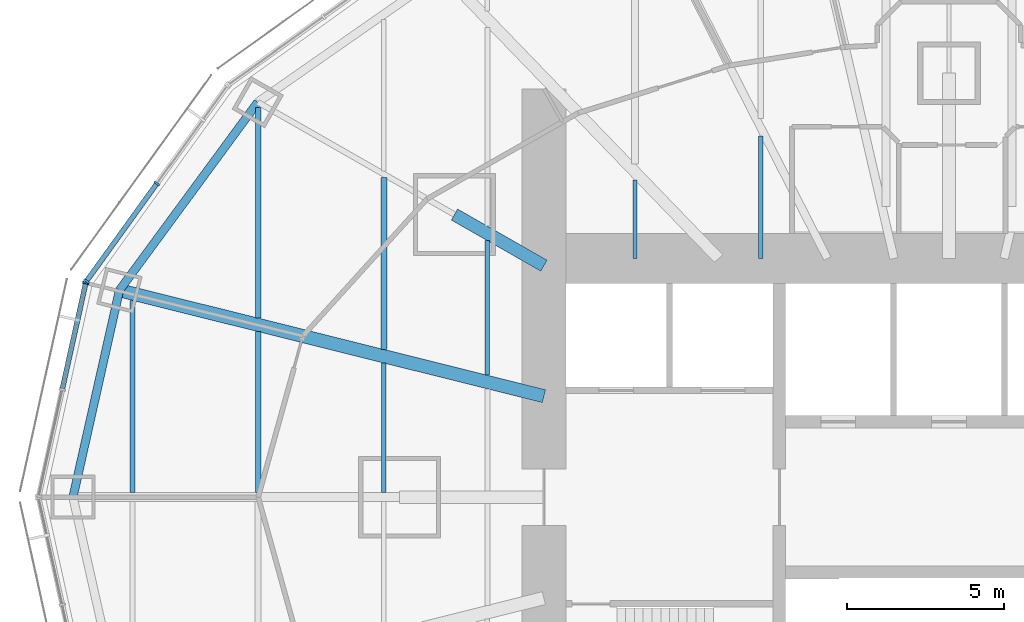
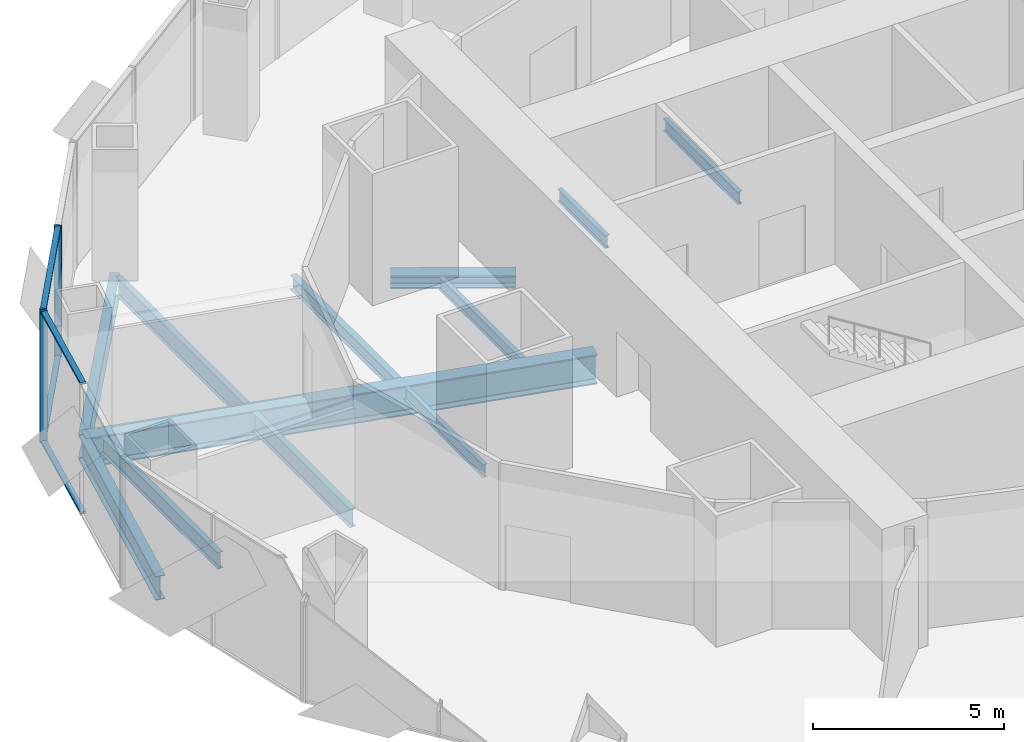
# One storey, part 4 of 18: 12 beams, 7 members, 2 elements without a shape of their own.
"""IFC4 building model written with IfcOpenShell, lengths in metres."""

import ifcopenshell
import ifcopenshell.guid

model = None  # the IFC model being written
_history = None  # IfcOwnerHistory: only IFC2X3 demands one
_inside = {}  # id of a spatial element -> (the spatial element, [elements in it])
_under = {}  # id of a project, library or spatial element -> (it, [spatial elements below it])
_declared = {}  # id of a project -> (the project, [libraries it declares])
_typed = {}  # id of a type object -> (the type object, [elements of that type])
_made_of = {}  # id of a material, layer set ... -> (it, [elements and type objects made of it])


def new_model(schema):
    """Start an empty IFC model of exactly this schema.

    Asked for "IFC4X3", IfcOpenShell would pick the latest addendum, in which some entities
    have other attributes; the version numbers below select the first issue.
    IFC2X3 requires an IfcOwnerHistory on every rooted entity: one is made here for all.
    """
    global model, _history
    if schema == "IFC4X3":
        model = ifcopenshell.file(schema_version=(4, 3, 0, 0))
    else:
        model = ifcopenshell.file(schema=schema)
    _inside.clear()
    _under.clear()
    _declared.clear()
    _typed.clear()
    _made_of.clear()
    _history = None
    if model.schema == "IFC2X3":
        org = make("IfcOrganization", Name="unknown")
        user = make(
            "IfcPersonAndOrganization",
            ThePerson=make("IfcPerson", FamilyName="unknown"),
            TheOrganization=org,
        )
        app = make(
            "IfcApplication",
            ApplicationDeveloper=org,
            Version="unknown",
            ApplicationFullName="unknown",
            ApplicationIdentifier="unknown",
        )
        _history = make(
            "IfcOwnerHistory",
            OwningUser=user,
            OwningApplication=app,
            ChangeAction="ADDED",
            CreationDate=0,
        )
    return model


def make(cls, **values):
    """One entity of the class cls with the attributes given. An attribute that is None is left unset."""
    return model.create_entity(
        cls, **{name: value for name, value in values.items() if value is not None}
    )


def rooted(cls, **values):
    """An entity with a GlobalId (a new one), such as an element, a storey or a relation."""
    return make(cls, GlobalId=ifcopenshell.guid.new(), OwnerHistory=_history, **values)


def si_unit(unit_type, name, prefix=None):
    """IfcSIUnit, for example si_unit("LENGTHUNIT", "METRE", prefix="MILLI")."""
    return make("IfcSIUnit", UnitType=unit_type, Prefix=prefix, Name=name)


def assignment(units):
    """IfcUnitAssignment: the units of a project."""
    return None if units is None else make("IfcUnitAssignment", Units=units)


def point(xyz):
    """IfcCartesianPoint."""
    return None if xyz is None else make("IfcCartesianPoint", Coordinates=xyz)


def direction(xyz):
    """IfcDirection."""
    return None if xyz is None else make("IfcDirection", DirectionRatios=xyz)


def frame(location, z_axis=None, x_axis=None):
    """IfcAxis2Placement3D, a coordinate frame: its origin and axes. An axis left out is left unset."""
    return make(
        "IfcAxis2Placement3D",
        Location=point(location),
        Axis=direction(z_axis),
        RefDirection=direction(x_axis),
    )


def frame_2d(location, x_axis=None):
    """IfcAxis2Placement2D, a coordinate frame in the plane: its origin and x axis."""
    return make(
        "IfcAxis2Placement2D", Location=point(location), RefDirection=direction(x_axis)
    )


def origin():
    """The frame at (0, 0, 0) with its axes left unset."""
    return frame((0.0, 0.0, 0.0))


def origin_2d():
    """The frame at (0, 0) in the plane with its x axis left unset."""
    return frame_2d((0.0, 0.0))


def place(relative_to, where):
    """IfcLocalPlacement: puts the frame where relative to a parent placement (None: the world)."""
    return make(
        "IfcLocalPlacement", PlacementRelTo=relative_to, RelativePlacement=where
    )


def context(
    kind, dimensions, precision=None, world=None, true_north=None, identifier=None
):
    """IfcGeometricRepresentationContext, for example the 3D "Model" context."""
    return make(
        "IfcGeometricRepresentationContext",
        ContextIdentifier=identifier,
        ContextType=kind,
        CoordinateSpaceDimension=dimensions,
        Precision=precision,
        WorldCoordinateSystem=world,
        TrueNorth=true_north,
    )


def subcontext(parent, identifier, kind, view, scale=None):
    """IfcGeometricRepresentationSubContext, for example "Body" below "Model"."""
    return make(
        "IfcGeometricRepresentationSubContext",
        ContextIdentifier=identifier,
        ContextType=kind,
        ParentContext=parent,
        TargetScale=scale,
        TargetView=view,
    )


def project(units=None, contexts=None):
    """IfcProject with its units and contexts."""
    return rooted(
        "IfcProject",
        Name="project",
        RepresentationContexts=contexts,
        UnitsInContext=assignment(units),
    )


def spatial(cls, under=None, at=None, **own):
    """A site, building, storey or space (cls), placed at a placement, below another one or the project."""
    s = rooted(cls, ObjectPlacement=at, **own)
    if under is not None:
        _under.setdefault(under.id(), (under, []))[1].append(s)
    return s


def profile(cls, at=None, kind="AREA", **sizes):
    """A parametric profile (cls). Its sizes go by their IFC names, for example OverallWidth=200.0."""
    return make(cls, ProfileType=kind, Position=at, **sizes)


def rectangle(**sizes):
    """IfcRectangleProfileDef."""
    return profile("IfcRectangleProfileDef", **sizes)


def i_section(**sizes):
    """IfcIShapeProfileDef."""
    return profile("IfcIShapeProfileDef", **sizes)


def extrude(swept, where, along, depth):
    """IfcExtrudedAreaSolid: the profile swept, set in the frame where, extruded along a direction by depth."""
    return make(
        "IfcExtrudedAreaSolid",
        SweptArea=swept,
        Position=where,
        ExtrudedDirection=direction(along),
        Depth=depth,
    )


def shape(context_of_items, identifier, shape_type, items):
    """IfcShapeRepresentation: the items that make up one representation, for example the "Body"."""
    return make(
        "IfcShapeRepresentation",
        ContextOfItems=context_of_items,
        RepresentationIdentifier=identifier,
        RepresentationType=shape_type,
        Items=items,
    )


def material(Name=None, Category=None):
    """IfcMaterial."""
    return make("IfcMaterial", Name=Name, Category=Category)


def material_profile(
    of_material, cross_section, Name=None, Category=None, Priority=None
):
    """IfcMaterialProfile: a cross section and its material."""
    return make(
        "IfcMaterialProfile",
        Name=Name,
        Material=of_material,
        Profile=cross_section,
        Priority=Priority,
        Category=Category,
    )


def profile_set(profiles, Name=None, composite=None):
    """IfcMaterialProfileSet."""
    return make(
        "IfcMaterialProfileSet",
        Name=Name,
        MaterialProfiles=profiles,
        CompositeProfile=composite,
    )


def made_of(thing, what):
    """Note that an element or type object is made of a material, layer set ...; save() writes the relation."""
    if what is not None:
        _made_of.setdefault(what.id(), (what, []))[1].append(thing)
    return thing


def type_object(cls, material=None, **own):
    """A type object (cls), such as IfcWallType, which elements share."""
    return made_of(rooted(cls, **own), material)


def element(
    cls,
    number,
    at=None,
    inside=None,
    cuts=None,
    type_object=None,
    material=None,
    context=None,
    identifier="Body",
    shape_type=None,
    held_by="IfcProductDefinitionShape",
    body=None,
    shapes=None,
    **own,
):
    """One element of the class cls, such as IfcWall. Its Tag is "e" and its number.

    at: its placement. inside: the storey or other place that contains it. cuts: it is an
    opening in that element (IfcRelVoidsElement). A single representation is given by context,
    identifier, shape_type and body (its items); several are given by shapes. held_by: the class
    of the entity that holds the representations. save() writes the other relations.
    """
    e = rooted(cls, Tag="e%d" % number, ObjectPlacement=at, **own)
    if body is not None:
        shapes = [shape(context, identifier, shape_type, body)]
    if shapes is not None:
        e.Representation = make(held_by, Representations=shapes)
    if inside is not None:
        _inside.setdefault(inside.id(), (inside, []))[1].append(e)
    if cuts is not None:
        rooted(
            "IfcRelVoidsElement", RelatingBuildingElement=cuts, RelatedOpeningElement=e
        )
    if type_object is not None:
        _typed.setdefault(type_object.id(), (type_object, []))[1].append(e)
    return made_of(e, material)


def aggregate(whole, parts):
    """IfcRelAggregates: a whole, such as a stair, and the parts it consists of."""
    return rooted("IfcRelAggregates", RelatingObject=whole, RelatedObjects=parts)


def save(model, path):
    """Write the relations noted so far, then the file.

    IfcRelAggregates (storeys below a building ...), IfcRelContainedInSpatialStructure (elements
    in a storey), IfcRelDefinesByType, IfcRelAssociatesMaterial and IfcRelDeclares: one each for
    every whole, place, type object, material and project.
    """
    for whole, parts in _under.values():
        aggregate(whole, parts)
    for where, things in _inside.values():
        rooted(
            "IfcRelContainedInSpatialStructure",
            RelatedElements=things,
            RelatingStructure=where,
        )
    for kind, things in _typed.values():
        rooted("IfcRelDefinesByType", RelatedObjects=things, RelatingType=kind)
    for what, things in _made_of.values():
        rooted("IfcRelAssociatesMaterial", RelatedObjects=things, RelatingMaterial=what)
    for by, libraries in _declared.values():
        rooted("IfcRelDeclares", RelatingContext=by, RelatedDefinitions=libraries)
    model.write(path)


model = new_model("IFC4")

# Units and contexts
model_context = context("Model", 3, precision=1e-05, world=origin(), true_north=direction((0.0, 1.0)))
body_context = subcontext(model_context, "Body", "Model", "MODEL_VIEW")
ifc_project = project(units=[si_unit("LENGTHUNIT", "METRE"), si_unit("AREAUNIT", "SQUARE_METRE"), si_unit("VOLUMEUNIT", "CUBIC_METRE"), si_unit("PLANEANGLEUNIT", "RADIAN"), si_unit("MASSUNIT", "GRAM", prefix="KILO")], contexts=[model_context])

# Site, building, storey
site_placement = place(None, origin())
site = spatial("IfcSite", under=ifc_project, at=site_placement, CompositionType="ELEMENT")
building_placement = place(site_placement, origin())
building = spatial("IfcBuilding", under=site, at=building_placement, Name="Lantaw Convention Tower", CompositionType="ELEMENT")
storey_placement = place(building_placement, frame((0.0, 0.0, 167.800048828125)))
storey = spatial("IfcBuildingStorey", under=building, at=storey_placement, Name="L39", CompositionType="ELEMENT", Elevation=167.800048828125)

# Beams
ifc_material_1 = material(Name="Steel ASTM A992", Category="steel")
ifc_material_profile_1 = material_profile(ifc_material_1, i_section(OverallWidth=0.2666015625, OverallDepth=0.76953125, WebThickness=0.015625, FlangeThickness=0.025390625, FilletRadius=0.0126953125, at=origin_2d()), Name="W30X132")
ifc_profile_set_1 = profile_set([ifc_material_profile_1], Name="Steel ASTM A992")
beam_type_1 = type_object("IfcBeamType", Name="Beam E W30X132", PredefinedType="SPANDREL", material=ifc_profile_set_1)
beam_1_placement = place(storey_placement, frame((-22.013916015625, 12.579345703125, -0.534912109375), z_axis=(-0.5923891972, -0.805651934176, 0.0), x_axis=(0.805651934176, -0.5923891972, 0.0)))
element("IfcBeam", 1, at=beam_1_placement, inside=storey, type_object=beam_type_1, Name="Edge beam 11", PredefinedType="SPANDREL", context=body_context, shape_type="SweptSolid", body=[
    extrude(i_section(OverallWidth=0.2666015625, OverallDepth=0.76953125, WebThickness=0.015625, FlangeThickness=0.025390625, FilletRadius=0.0126953125, at=origin_2d()), origin(), (0.0, 0.0, 1.0), 7.437744140625),
])
beam_2_placement = place(storey_placement, frame((-26.419921875, 6.587158203125, -0.534912109375), z_axis=(-0.219211877447, -0.975677279015, 0.0), x_axis=(0.975677279015, -0.219211877447, 0.0)))
element("IfcBeam", 2, at=beam_2_placement, inside=storey, type_object=beam_type_1, Name="Edge beam 12", PredefinedType="SPANDREL", context=body_context, shape_type="SweptSolid", body=[
    extrude(i_section(OverallWidth=0.2666015625, OverallDepth=0.76953125, WebThickness=0.015625, FlangeThickness=0.025390625, FilletRadius=0.0126953125, at=origin_2d()), origin(), (0.0, 0.0, 1.0), 6.75146484375),
])
ifc_material_profile_2 = material_profile(ifc_material_1, i_section(OverallWidth=0.421630859375, OverallDepth=0.937255859375, WebThickness=0.0224609375, FlangeThickness=0.039794921875, FilletRadius=0.02001953125, at=origin_2d()), Name="W36X282")
ifc_profile_set_2 = profile_set([ifc_material_profile_2], Name="Steel ASTM A992")
beam_type_2 = type_object("IfcBeamType", Name="Beam G W36X282", PredefinedType="BEAM", material=ifc_profile_set_2)
beam_3_placement = place(storey_placement, frame((-12.89990234375, 3.21630859375, -0.61865234375), z_axis=(-0.970296903132, 0.24191717544, 0.0), x_axis=(-0.24191717544, -0.970296903132, 0.0)))
element("IfcBeam", 3, at=beam_3_placement, inside=storey, type_object=beam_type_2, Name="Floor girder on ray 12", PredefinedType="BEAM", context=body_context, shape_type="SweptSolid", body=[
    extrude(i_section(OverallWidth=0.421630859375, OverallDepth=0.937255859375, WebThickness=0.0224609375, FlangeThickness=0.039794921875, FilletRadius=0.02001953125, at=origin_2d()), origin(), (0.0, 0.0, 1.0), 13.933837890625),
])
ifc_material_profile_3 = material_profile(ifc_material_1, i_section(OverallWidth=0.40380859375, OverallDepth=0.406494140625, WebThickness=0.027099609375, FlangeThickness=0.043701171875, FilletRadius=0.01513671875, at=origin_2d()), Name="W14X233")
ifc_profile_set_3 = profile_set([ifc_material_profile_3], Name="Steel ASTM A992")
beam_type_3 = type_object("IfcBeamType", Name="Beam GM W14X233", PredefinedType="BEAM", material=ifc_profile_set_3)
beam_4_placement = place(storey_placement, frame((-12.89990234375, 7.371337890625, -0.353271484375), z_axis=(-0.868238565244, 0.496146947811, 0.0), x_axis=(-0.496146947811, -0.868238565244, 0.0)))
element("IfcBeam", 4, at=beam_4_placement, inside=storey, type_object=beam_type_3, Name="Core link beam on ray 11", PredefinedType="BEAM", context=body_context, shape_type="SweptSolid", body=[
    extrude(i_section(OverallWidth=0.40380859375, OverallDepth=0.406494140625, WebThickness=0.027099609375, FlangeThickness=0.043701171875, FilletRadius=0.01513671875, at=origin_2d()), origin(), (0.0, 0.0, 1.0), 3.28271484375),
])
ifc_material_profile_4 = material_profile(ifc_material_1, i_section(OverallWidth=0.140380859375, OverallDepth=0.40380859375, WebThickness=0.007080078125, FlangeThickness=0.01123046875, FilletRadius=0.01025390625, at=origin_2d()), Name="W16X31")
ifc_profile_set_4 = profile_set([ifc_material_profile_4], Name="Steel ASTM A992")
beam_type_4 = type_object("IfcBeamType", Name="Beam J W16X31", PredefinedType="JOIST", material=ifc_profile_set_4)
beam_5_placement = place(storey_placement, frame((-18.0, 0.14599609375, -0.35205078125), z_axis=(0.0, 1.0, 0.0), x_axis=(-1.0, 0.0, 0.0)))
element("IfcBeam", 5, at=beam_5_placement, inside=storey, type_object=beam_type_4, Name="Floor joist", PredefinedType="JOIST", context=body_context, shape_type="SweptSolid", body=[
    extrude(i_section(OverallWidth=0.140380859375, OverallDepth=0.40380859375, WebThickness=0.007080078125, FlangeThickness=0.01123046875, FilletRadius=0.01025390625, at=origin_2d()), origin(), (0.0, 0.0, 1.0), 4.124755859375),
])
beam_6_placement = place(storey_placement, frame((-14.699951171875, 3.88232421875, -0.35205078125), z_axis=(0.0, 1.0, 0.0), x_axis=(-1.0, 0.0, 0.0)))
element("IfcBeam", 6, at=beam_6_placement, inside=storey, type_object=beam_type_4, Name="Floor joist", PredefinedType="JOIST", context=body_context, shape_type="SweptSolid", body=[
    extrude(i_section(OverallWidth=0.140380859375, OverallDepth=0.40380859375, WebThickness=0.007080078125, FlangeThickness=0.01123046875, FilletRadius=0.01025390625, at=origin_2d()), origin(), (0.0, 0.0, 1.0), 4.28515625),
])
beam_7_placement = place(storey_placement, frame((-10.0, 7.60009765625, -0.35205078125), z_axis=(0.0, 1.0, 0.0), x_axis=(-1.0, 0.0, 0.0)))
element("IfcBeam", 7, at=beam_7_placement, inside=storey, type_object=beam_type_4, Name="Floor joist", PredefinedType="JOIST", context=body_context, shape_type="SweptSolid", body=[
    extrude(i_section(OverallWidth=0.140380859375, OverallDepth=0.40380859375, WebThickness=0.007080078125, FlangeThickness=0.01123046875, FilletRadius=0.01025390625, at=origin_2d()), origin(), (0.0, 0.0, 1.0), 2.49560546875),
])
beam_8_placement = place(storey_placement, frame((-6.0, 7.60009765625, -0.35205078125), z_axis=(0.0, 1.0, 0.0), x_axis=(-1.0, 0.0, 0.0)))
element("IfcBeam", 8, at=beam_8_placement, inside=storey, type_object=beam_type_4, Name="Floor joist", PredefinedType="JOIST", context=body_context, shape_type="SweptSolid", body=[
    extrude(i_section(OverallWidth=0.140380859375, OverallDepth=0.40380859375, WebThickness=0.007080078125, FlangeThickness=0.01123046875, FilletRadius=0.01025390625, at=origin_2d()), origin(), (0.0, 0.0, 1.0), 3.895751953125),
])
ifc_material_profile_5 = material_profile(ifc_material_1, i_section(OverallWidth=0.1904296875, OverallDepth=0.457275390625, WebThickness=0.009033203125, FlangeThickness=0.014404296875, FilletRadius=0.01025390625, at=origin_2d()), Name="W18X50")
ifc_profile_set_5 = profile_set([ifc_material_profile_5], Name="Steel ASTM A992")
beam_type_5 = type_object("IfcBeamType", Name="Beam J W18X50", PredefinedType="JOIST", material=ifc_profile_set_5)
beam_9_placement = place(storey_placement, frame((-18.0, 4.705078125, -0.378662109375), z_axis=(0.0, 1.0, 0.0), x_axis=(-1.0, 0.0, 0.0)))
element("IfcBeam", 9, at=beam_9_placement, inside=storey, type_object=beam_type_5, Name="Floor joist", PredefinedType="JOIST", context=body_context, shape_type="SweptSolid", body=[
    extrude(i_section(OverallWidth=0.1904296875, OverallDepth=0.457275390625, WebThickness=0.009033203125, FlangeThickness=0.014404296875, FilletRadius=0.01025390625, at=origin_2d()), origin(), (0.0, 0.0, 1.0), 5.47802734375),
])
ifc_material_profile_6 = material_profile(ifc_material_1, i_section(OverallWidth=0.1650390625, OverallDepth=0.52587890625, WebThickness=0.0087890625, FlangeThickness=0.011474609375, FilletRadius=0.0126953125, at=origin_2d()), Name="W21X44")
ifc_profile_set_6 = profile_set([ifc_material_profile_6], Name="Steel ASTM A992")
beam_type_6 = type_object("IfcBeamType", Name="Beam J W21X44", PredefinedType="JOIST", material=ifc_profile_set_6)
beam_10_placement = place(storey_placement, frame((-26.0, 0.14599609375, -0.412841796875), z_axis=(0.0, 1.0, 0.0), x_axis=(-1.0, 0.0, 0.0)))
element("IfcBeam", 10, at=beam_10_placement, inside=storey, type_object=beam_type_6, Name="Floor joist", PredefinedType="JOIST", context=body_context, shape_type="SweptSolid", body=[
    extrude(i_section(OverallWidth=0.1650390625, OverallDepth=0.52587890625, WebThickness=0.0087890625, FlangeThickness=0.011474609375, FilletRadius=0.0126953125, at=origin_2d()), origin(), (0.0, 0.0, 1.0), 6.119140625),
])
ifc_material_profile_7 = material_profile(ifc_material_1, i_section(OverallWidth=0.177978515625, OverallDepth=0.599365234375, WebThickness=0.010009765625, FlangeThickness=0.012939453125, FilletRadius=0.012939453125, at=origin_2d()), Name="W24X55")
ifc_profile_set_7 = profile_set([ifc_material_profile_7], Name="Steel ASTM A992")
beam_type_7 = type_object("IfcBeamType", Name="Beam J W24X55", PredefinedType="JOIST", material=ifc_profile_set_7)
beam_11_placement = place(storey_placement, frame((-22.0, 0.14599609375, -0.44970703125), z_axis=(0.0, 1.0, 0.0), x_axis=(-1.0, 0.0, 0.0)))
element("IfcBeam", 11, at=beam_11_placement, inside=storey, type_object=beam_type_7, Name="Floor joist", PredefinedType="JOIST", context=body_context, shape_type="SweptSolid", body=[
    extrude(i_section(OverallWidth=0.177978515625, OverallDepth=0.599365234375, WebThickness=0.010009765625, FlangeThickness=0.012939453125, FilletRadius=0.012939453125, at=origin_2d()), origin(), (0.0, 0.0, 1.0), 5.121826171875),
])
beam_12_placement = place(storey_placement, frame((-22.0, 5.702392578125, -0.44970703125), z_axis=(0.0, 1.0, 0.0), x_axis=(-1.0, 0.0, 0.0)))
element("IfcBeam", 12, at=beam_12_placement, inside=storey, type_object=beam_type_7, Name="Floor joist", PredefinedType="JOIST", context=body_context, shape_type="SweptSolid", body=[
    extrude(i_section(OverallWidth=0.177978515625, OverallDepth=0.599365234375, WebThickness=0.010009765625, FlangeThickness=0.012939453125, FilletRadius=0.012939453125, at=origin_2d()), origin(), (0.0, 0.0, 1.0), 6.70654296875),
])

# Curtain wall, members
ifc_material_2 = material(Name="Aluminium framed curtain wall", Category="aluminium")
curtain_wall_type = type_object("IfcCurtainWallType", Name="Office curtain wall low rise, pale aluminium", PredefinedType="USERDEFINED", material=ifc_material_2)
curtain_wall_1_placement = place(storey_placement, origin())
curtain_wall_1 = element("IfcCurtainWall", 13, at=curtain_wall_1_placement, inside=storey, type_object=curtain_wall_type, Name="Office curtain wall low rise, pale aluminium L39", ObjectType="UNITISED CURTAIN WALL", PredefinedType="USERDEFINED")
ifc_material_3 = material(Name="Aluminium 6063-T6", Category="aluminium")
ifc_material_profile_8 = material_profile(ifc_material_3, rectangle(XDim=0.199951171875, YDim=0.06494140625, at=origin_2d()), Name="CW-O1 mullion 65x200")
ifc_profile_set_8 = profile_set([ifc_material_profile_8], Name="Aluminium 6063-T6")
member_type_1 = type_object("IfcMemberType", Name="CW-O1 mullion 65x200", PredefinedType="MULLION", material=ifc_profile_set_8)
member_1_placement = place(storey_placement, frame((-25.22802734375, 9.9892578125, -0.150146484375), z_axis=(0.0, 0.0, 1.0), x_axis=(0.811384633629, -0.584512597221, 0.0)))
member_1 = element("IfcMember", 14, at=member_1_placement, type_object=member_type_1, Name="CW-O1 mullion 2", PredefinedType="MULLION", context=body_context, shape_type="SweptSolid", body=[
    extrude(rectangle(XDim=0.199951171875, YDim=0.06494140625, at=origin_2d()), origin(), (0.0, 0.0, 1.0), 4.2001953125),
])
member_2_placement = place(storey_placement, frame((-27.46826171875, 6.879638671875, -0.150146484375), z_axis=(0.0, 0.0, 1.0), x_axis=(0.811384633629, -0.584512597221, 0.0)))
member_2 = element("IfcMember", 15, at=member_2_placement, type_object=member_type_1, Name="CW-O1 mullion 3", PredefinedType="MULLION", context=body_context, shape_type="SweptSolid", body=[
    extrude(rectangle(XDim=0.199951171875, YDim=0.06494140625, at=origin_2d()), origin(), (0.0, 0.0, 1.0), 4.2001953125),
])

# Curtain wall, member
curtain_wall_2_placement = place(storey_placement, origin())
curtain_wall_2 = element("IfcCurtainWall", 16, at=curtain_wall_2_placement, inside=storey, type_object=curtain_wall_type, Name="Office curtain wall low rise, pale aluminium L39", ObjectType="UNITISED CURTAIN WALL", PredefinedType="USERDEFINED")
member_3_placement = place(storey_placement, frame((-27.494140625, 6.821533203125, -0.150146484375), z_axis=(0.0, 0.0, 1.0), x_axis=(0.9764936509, -0.215546166174, 0.0)))
member_3 = element("IfcMember", 17, at=member_3_placement, type_object=member_type_1, Name="CW-O1 mullion 1", PredefinedType="MULLION", context=body_context, shape_type="SweptSolid", body=[
    extrude(rectangle(XDim=0.199951171875, YDim=0.06494140625, at=origin_2d()), origin(), (0.0, 0.0, 1.0), 4.2001953125),
])

# Member
ifc_material_profile_9 = material_profile(ifc_material_3, rectangle(XDim=0.159912109375, YDim=0.06494140625, at=origin_2d()), Name="CW-O1 transom 65x160")
ifc_profile_set_9 = profile_set([ifc_material_profile_9], Name="Aluminium 6063-T6")
member_type_2 = type_object("IfcMemberType", Name="CW-O1 transom 65x160", PredefinedType="USERDEFINED", material=ifc_profile_set_9)
member_4_placement = place(storey_placement, frame((-25.2470703125, 9.962890625, -0.117431640625), z_axis=(-0.584512973979, -0.811384362217, 0.0), x_axis=(0.811384362217, -0.584512973979, 0.0)))
member_4 = element("IfcMember", 18, at=member_4_placement, type_object=member_type_2, Name="CW-O1 transom 2.1", ObjectType="TRANSOM", PredefinedType="USERDEFINED", context=body_context, shape_type="SweptSolid", body=[
    extrude(rectangle(XDim=0.159912109375, YDim=0.06494140625, at=origin_2d()), origin(), (0.0, 0.0, 1.0), 3.767578125),
])

member_5_placement = place(storey_placement, frame((-25.2470703125, 9.962890625, 4.017333984375), z_axis=(-0.584512973979, -0.811384362217, 0.0), x_axis=(0.811384362217, -0.584512973979, 0.0)))
member_5 = element("IfcMember", 19, at=member_5_placement, type_object=member_type_2, Name="CW-O1 transom 2.2", ObjectType="TRANSOM", PredefinedType="USERDEFINED", context=body_context, shape_type="SweptSolid", body=[
    extrude(rectangle(XDim=0.159912109375, YDim=0.06494140625, at=origin_2d()), origin(), (0.0, 0.0, 1.0), 3.767578125),
])

aggregate(curtain_wall_1, [member_1, member_2, member_4, member_5])

member_6_placement = place(storey_placement, frame((-27.501220703125, 6.789794921875, -0.117431640625), z_axis=(-0.21555115847, -0.976492548913, 0.0), x_axis=(0.976492548913, -0.21555115847, 0.0)))
member_6 = element("IfcMember", 20, at=member_6_placement, type_object=member_type_2, Name="CW-O1 transom 1.1", ObjectType="TRANSOM", PredefinedType="USERDEFINED", context=body_context, shape_type="SweptSolid", body=[
    extrude(rectangle(XDim=0.159912109375, YDim=0.06494140625, at=origin_2d()), origin(), (0.0, 0.0, 1.0), 3.411376953125),
])

member_7_placement = place(storey_placement, frame((-27.501220703125, 6.789794921875, 4.017333984375), z_axis=(-0.21555115847, -0.976492548913, 0.0), x_axis=(0.976492548913, -0.21555115847, 0.0)))
member_7 = element("IfcMember", 21, at=member_7_placement, type_object=member_type_2, Name="CW-O1 transom 1.2", ObjectType="TRANSOM", PredefinedType="USERDEFINED", context=body_context, shape_type="SweptSolid", body=[
    extrude(rectangle(XDim=0.159912109375, YDim=0.06494140625, at=origin_2d()), origin(), (0.0, 0.0, 1.0), 3.411376953125),
])

aggregate(curtain_wall_2, [member_3, member_6, member_7])

save(model, "model.ifc")
